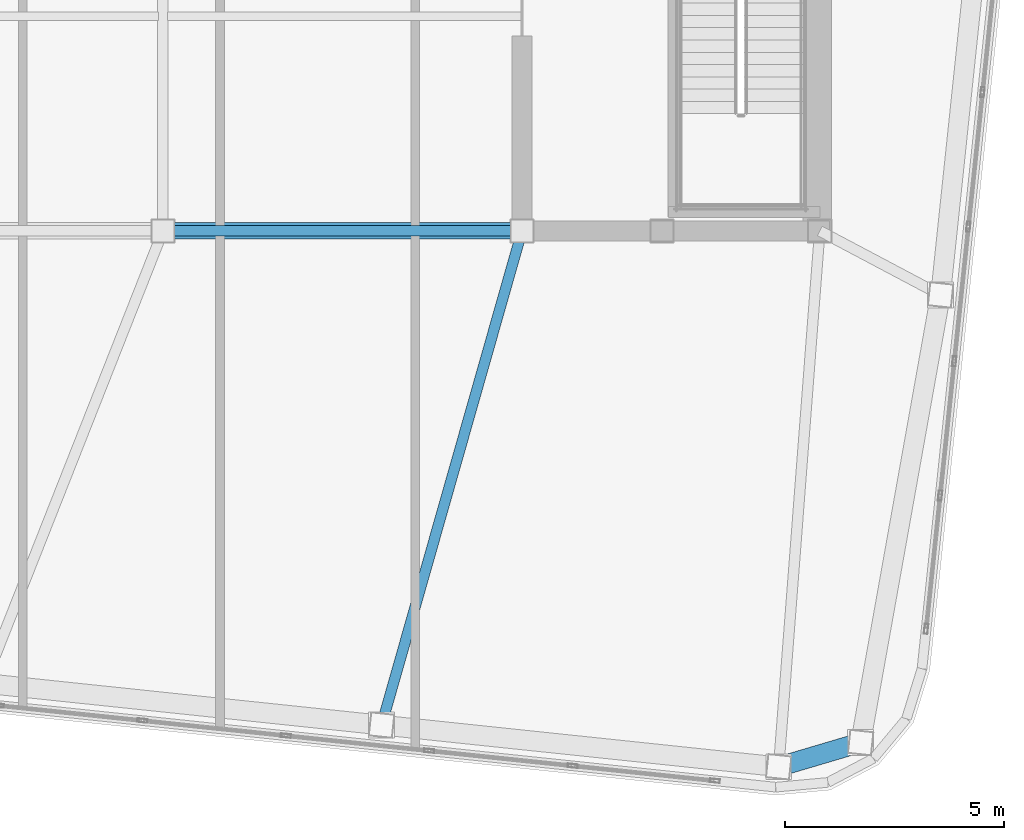
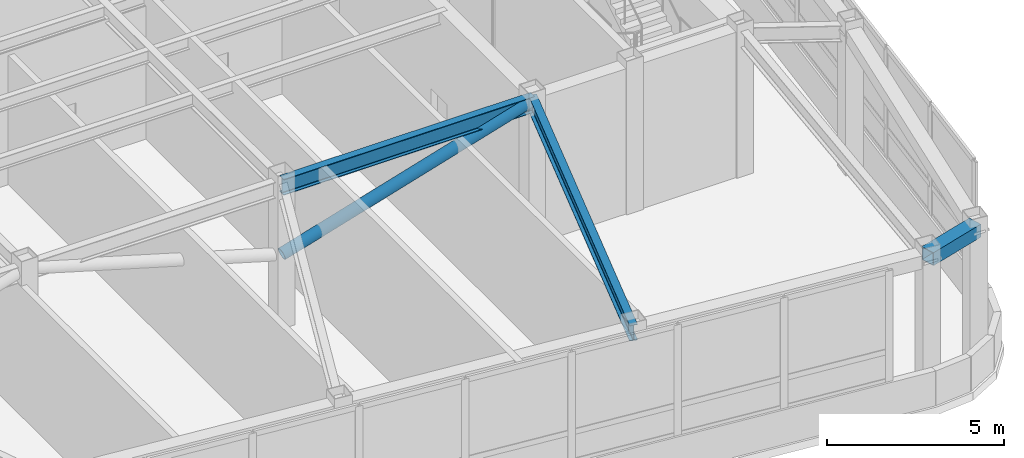
# One storey, part 10 of 23: 3 beams, 1 member.
"""IFC4 building model written with IfcOpenShell, lengths in metres."""

from ifc_helpers import new_model, si_unit, direction, frame, origin, origin_2d, place, context, subcontext, project, spatial, hollow_rectangle, hollow_circle, i_section, extrude, material, material_profile, profile_set, type_object, element, save


model = new_model("IFC4")

# Units and contexts
model_context = context("Model", 3, precision=1e-05, world=origin(), true_north=direction((0.0, 1.0)))
body_context = subcontext(model_context, "Body", "Model", "MODEL_VIEW")
ifc_project = project(units=[si_unit("LENGTHUNIT", "METRE"), si_unit("AREAUNIT", "SQUARE_METRE"), si_unit("VOLUMEUNIT", "CUBIC_METRE"), si_unit("PLANEANGLEUNIT", "RADIAN"), si_unit("MASSUNIT", "GRAM", prefix="KILO")], contexts=[model_context])

# Site, building, storey
site_placement = place(None, origin())
site = spatial("IfcSite", under=ifc_project, at=site_placement, CompositionType="ELEMENT")
building_placement = place(site_placement, origin())
building = spatial("IfcBuilding", under=site, at=building_placement, Name="Voryun Gate Residences", CompositionType="ELEMENT")
storey_placement = place(building_placement, frame((0.0, 0.0, 326.60009765625)))
storey = spatial("IfcBuildingStorey", under=building, at=storey_placement, Name="L80", CompositionType="ELEMENT", Elevation=326.60009765625)

# Beams
ifc_material_1 = material(Name="Steel SM355", Category="steel")
ifc_material_profile_1 = material_profile(ifc_material_1, hollow_rectangle(XDim=0.449951171875, YDim=0.449951171875, WallThickness=0.01806640625, at=origin_2d()), Name="BOX-450x450x18")
ifc_profile_set_1 = profile_set([ifc_material_profile_1], Name="Steel SM355")
beam_type_1 = type_object("IfcBeamType", Name="BM_CROWN_RING", PredefinedType="BEAM", material=ifc_profile_set_1)
beam_1_placement = place(storey_placement, frame((18.261474609375, -19.63818359375, 4.7998046875), z_axis=(0.958835963288, 0.283960552728, 0.0), x_axis=(-0.283960552728, 0.958835963288, 0.0)))
element("IfcBeam", 1, at=beam_1_placement, inside=storey, type_object=beam_type_1, Name="BM-L80-SPAND-06", PredefinedType="BEAM", context=body_context, shape_type="SweptSolid", body=[
    extrude(hollow_rectangle(XDim=0.449951171875, YDim=0.449951171875, WallThickness=0.01806640625, at=origin_2d()), origin(), (0.0, 0.0, 1.0), 1.95166015625),
])
ifc_material_2 = material(Name="Steel SM355", Category="steel")
ifc_material_profile_2 = material_profile(ifc_material_2, i_section(OverallWidth=0.239990234375, OverallDepth=0.550048828125, WebThickness=0.011962890625, FlangeThickness=0.02001953125, FilletRadius=0.01806640625, at=origin_2d()), Name="H-550x240x12x20")
ifc_profile_set_2 = profile_set([ifc_material_profile_2], Name="Steel SM355")
beam_type_2 = type_object("IfcBeamType", Name="BM_GIRD_550", PredefinedType="USERDEFINED", material=ifc_profile_set_2)
beam_2_placement = place(storey_placement, frame((4.199951171875, -7.39990234375, 4.75), z_axis=(1.0, 0.0, 0.0), x_axis=(0.0, 1.0, 0.0)))
element("IfcBeam", 2, at=beam_2_placement, inside=storey, type_object=beam_type_2, Name="BM-L80-SPG3-S", ObjectType="GIRDER", PredefinedType="USERDEFINED", context=body_context, shape_type="SweptSolid", body=[
    extrude(i_section(OverallWidth=0.239990234375, OverallDepth=0.550048828125, WebThickness=0.011962890625, FlangeThickness=0.02001953125, FilletRadius=0.01806640625, at=origin_2d()), origin(), (0.0, 0.0, 1.0), 8.199951171875),
])
beam_3_placement = place(storey_placement, frame((12.39990234375, -7.39990234375, 4.75), z_axis=(-0.273478609988, -0.961878084727, 0.0), x_axis=(0.961878084727, -0.273478609988, 0.0)))
element("IfcBeam", 3, at=beam_3_placement, inside=storey, type_object=beam_type_2, Name="BM-L80-RAD-S5", ObjectType="GIRDER", PredefinedType="USERDEFINED", context=body_context, shape_type="SweptSolid", body=[
    extrude(i_section(OverallWidth=0.239990234375, OverallDepth=0.550048828125, WebThickness=0.011962890625, FlangeThickness=0.02001953125, FilletRadius=0.01806640625, at=origin_2d()), origin(), (0.0, 0.0, 1.0), 11.732177734375),
])

# Member
ifc_material_3 = material(Name="Steel SM355", Category="steel")
ifc_material_profile_3 = material_profile(ifc_material_3, hollow_circle(Radius=0.18994140625, WallThickness=0.01806640625, at=origin_2d()), Name="CHS-380x18")
ifc_profile_set_3 = profile_set([ifc_material_profile_3], Name="Steel SM355")
member_type = type_object("IfcMemberType", Name="MBR_CROWN_DIAGRID", PredefinedType="BRACE", material=ifc_profile_set_3)
member_placement = place(storey_placement, frame((4.199951171875, -7.39990234375, 2.3798828125), z_axis=(0.957662114733, 0.0, 0.287894553621), x_axis=(0.0, 1.0, 0.0)))
element("IfcMember", 4, at=member_placement, inside=storey, type_object=member_type, Name="L80 Lantern Spine Diagrid Brace 03", PredefinedType="BRACE", context=body_context, shape_type="SweptSolid", body=[
    extrude(hollow_circle(Radius=0.18994140625, WallThickness=0.01806640625, at=origin_2d()), origin(), (0.0, 0.0, 1.0), 8.5625),
])

save(model, "model.ifc")
